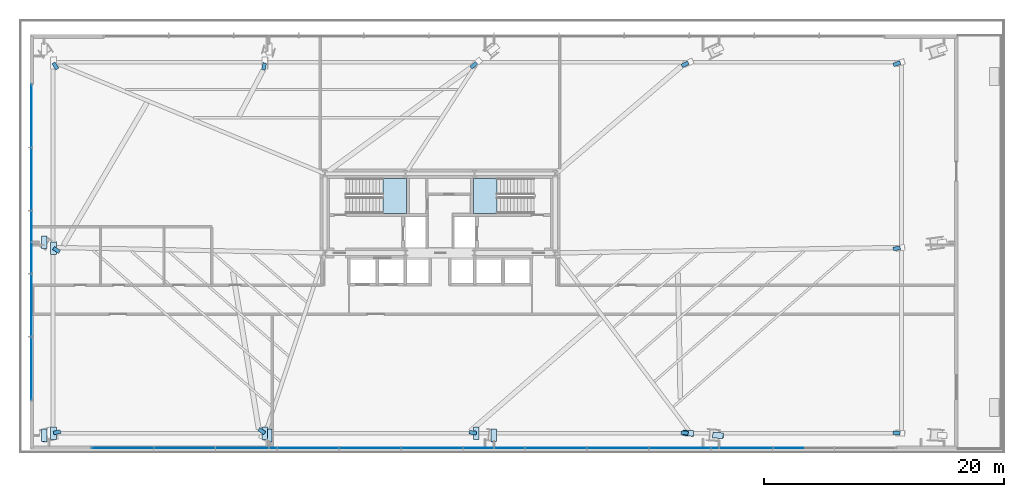
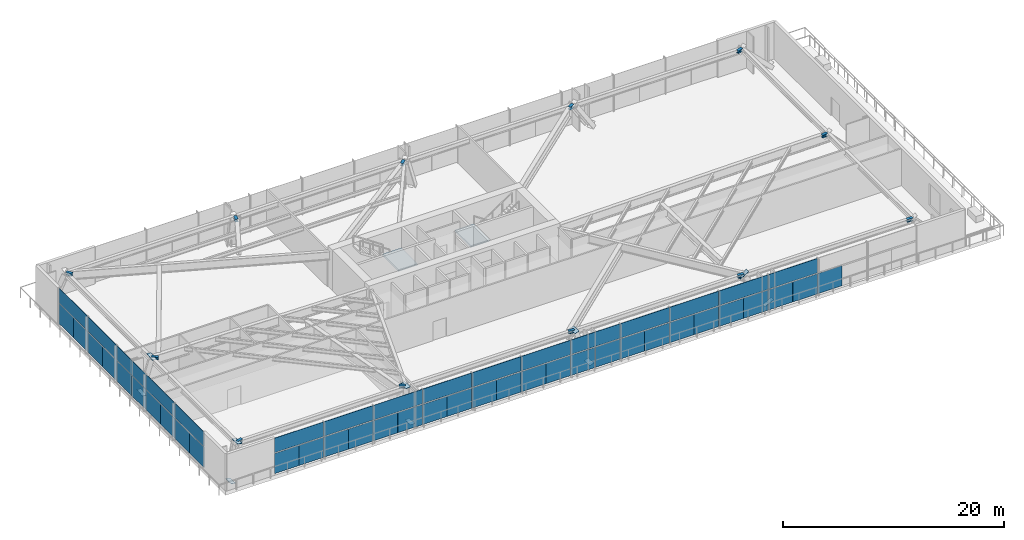
# One storey, part 23 of 36: 59 plates, 12 beams, 2 slabs, 4 elements without a shape of their own.
"""IFC4 building model written with IfcOpenShell, lengths in metres."""

from ifc_helpers import new_model, si_unit, direction, frame, origin, origin_2d, place, context, subcontext, project, spatial, polyline, rectangle, i_section, outline, extrude, source, transform, mapped, material, layer, layer_set, material_profile, profile_set, type_object, type_shapes, element, aggregate, save


model = new_model("IFC4")

# Units and contexts
model_context = context("Model", 3, precision=1e-05, world=origin(), true_north=direction((0.0, 1.0)))
body_context = subcontext(model_context, "Body", "Model", "MODEL_VIEW")
ifc_project = project(units=[si_unit("LENGTHUNIT", "METRE"), si_unit("AREAUNIT", "SQUARE_METRE"), si_unit("VOLUMEUNIT", "CUBIC_METRE"), si_unit("PLANEANGLEUNIT", "RADIAN"), si_unit("MASSUNIT", "GRAM", prefix="KILO")], contexts=[model_context])

# Site, building, storey
site_placement = place(None, origin())
site = spatial("IfcSite", under=ifc_project, at=site_placement, CompositionType="ELEMENT")
building_placement = place(site_placement, origin())
building = spatial("IfcBuilding", under=site, at=building_placement, Name="Astriad Promenade Condominiums", CompositionType="ELEMENT")
storey_placement = place(building_placement, frame((0.0, 0.0, 5.0)))
storey = spatial("IfcBuildingStorey", under=building, at=storey_placement, Name="L01", CompositionType="ELEMENT", Elevation=5.0)

# Beams
ifc_material_1 = material(Name="Steel ASTM A992 Grade 50", Category="steel")
ifc_material_profile = material_profile(ifc_material_1, i_section(OverallWidth=0.3046875, OverallDepth=0.307861328125, WebThickness=0.010009765625, FlangeThickness=0.015380859375, FilletRadius=0.01513671875, at=origin_2d()), Name="W12X65")
ifc_profile_set = profile_set([ifc_material_profile], Name="Steel ASTM A992 Grade 50")
beam_type = type_object("IfcBeamType", Name="STEEL TRANSFER SPLICE HEADER W12X65", PredefinedType="LINTEL", material=ifc_profile_set)
shared_shape_1 = source(origin(), body_context, "Body", "SweptSolid", [
    extrude(i_section(OverallWidth=0.3046875, OverallDepth=0.307861328125, WebThickness=0.010009765625, FlangeThickness=0.015380859375, FilletRadius=0.01513671875, at=origin_2d()), origin(), (0.0, 0.0, 1.0), 0.6015625),
])
for number, where, z_axis, x_axis, name in (
    (1, (21.392822265625, 2.37841796875, 3.926025390625), (-0.845112519666, 0.534588467051, 0.0), (-0.534588467051, -0.845112519666, 0.0), "Column Transfer Splice Header SPL-PC02-L01"),
    (2, (39.032470703125, 2.375732421875, 3.926025390625), (-0.99099243041, 0.133917896001, 0.0), (-0.133917896001, -0.99099243041, 0.0), "Column Transfer Splice Header SPL-PC03-L01"),
    (3, (56.6953125, 2.37353515625, 3.926025390625), (-0.997146855139, 0.075486086714, 0.0), (-0.075486086714, -0.997146855139, 0.0), "Column Transfer Splice Header SPL-PC04-L01"),
    (4, (74.3701171875, 2.3720703125, 3.926025390625), (-0.998607722654, 0.052750509527, 0.0), (-0.052750509527, -0.998607722654, 0.0), "Column Transfer Splice Header SPL-PC05-L01"),
    (5, (3.763427734375, 33.2451171875, 3.926025390625), (0.546243021637, -0.837626743432, 0.0), (0.837626743432, 0.546243021637, 0.0), "Column Transfer Splice Header SPL-PC06-L01"),
    (6, (21.396484375, 33.242431640625, 3.926025390625), (-0.231346163598, -0.972871498497, 0.0), (0.972871498497, -0.231346163598, 0.0), "Column Transfer Splice Header SPL-PC07-L01"),
    (7, (39.038818359375, 33.2509765625, 3.926025390625), (-0.750335031979, -0.661057743155, 0.0), (0.661057743155, -0.750335031979, 0.0), "Column Transfer Splice Header SPL-PC08-L01"),
    (8, (74.37353515625, 33.2685546875, 3.926025390625), (-0.946095269319, -0.323888470578, 0.0), (0.323888470578, -0.946095269319, 0.0), "Column Transfer Splice Header SPL-PC10-L01"),
    (9, (3.76806640625, 17.8076171875, 3.926025390625), (0.838916211587, -0.544260590101, 0.0), (0.544260590101, 0.838916211587, 0.0), "Column Transfer Splice Header SPL-PC11-L01"),
):
    element("IfcBeam", number, at=place(storey_placement, frame(where, z_axis=z_axis, x_axis=x_axis)), inside=storey, type_object=beam_type, Name=name, PredefinedType="LINTEL", context=body_context, shape_type="MappedRepresentation", body=[
        mapped(shared_shape_1, transform((0.0, 0.0, 0.0), scale=1.0)),
    ])
shared_shape_2 = source(origin(), body_context, "Body", "SweptSolid", [
    extrude(i_section(OverallWidth=0.3046875, OverallDepth=0.307861328125, WebThickness=0.010009765625, FlangeThickness=0.015380859375, FilletRadius=0.01513671875, at=origin_2d()), origin(), (0.0, 0.0, 1.0), 0.601318359375),
])
type_shapes(beam_type, [shared_shape_1, shared_shape_2])
for number, where, z_axis, x_axis, name in (
    (10, (3.769287109375, 2.377197265625, 3.926025390625), (0.973144940462, 0.230193233726, 0.0), (-0.230193233726, 0.973144940462, 0.0), "Column Transfer Splice Header SPL-PC01-L01"),
    (11, (56.7001953125, 33.260986328125, 3.926025390625), (-0.89676937187, -0.442498241439, 0.0), (0.442498241439, -0.89676937187, 0.0), "Column Transfer Splice Header SPL-PC09-L01"),
    (12, (74.37060546875, 17.81982421875, 3.926025390625), (-0.989679797289, -0.143296541609, 0.0), (0.143296541609, -0.989679797289, 0.0), "Column Transfer Splice Header SPL-PC12-L01"),
):
    element("IfcBeam", number, at=place(storey_placement, frame(where, z_axis=z_axis, x_axis=x_axis)), inside=storey, type_object=beam_type, Name=name, PredefinedType="LINTEL", context=body_context, shape_type="MappedRepresentation", body=[
        mapped(shared_shape_2, transform((0.0, 0.0, 0.0), scale=1.0)),
    ])

# Stair, slab
ifc_material_2 = material(Name="Concrete C50/60", Category="concrete")
stair_type = type_object("IfcStairType", Name="STR-CORE-1350", PredefinedType="HALF_TURN_STAIR", material=ifc_material_2)
stair_1_placement = place(storey_placement, origin())
stair_1 = element("IfcStair", 13, at=stair_1_placement, inside=storey, type_object=stair_type, Name="L01 Enclosed Core Exit Stair ST-1", PredefinedType="HALF_TURN_STAIR")
ifc_layer_1 = layer(ifc_material_2, 0.219970703125)
ifc_layer_set_1 = layer_set([ifc_layer_1], Name="Concrete C50/60")
slab_type = type_object("IfcSlabType", Name="SLB-LANDING-220", PredefinedType="LANDING", material=ifc_layer_set_1)
slab_1_placement = place(storey_placement, frame((0.0, 0.0, 2.050048828125)))
slab_1 = element("IfcSlab", 14, at=slab_1_placement, type_object=slab_type, Name="ST-1 landing 1", PredefinedType="LANDING", context=body_context, shape_type="SweptSolid", body=[
    extrude(outline(polyline([(31.22998046875, 20.699951171875), (33.199951171875, 20.699951171875), (33.199951171875, 23.60009765625), (31.22998046875, 23.60009765625), (31.22998046875, 20.699951171875)])), origin(), (0.0, 0.0, 1.0), 0.199951171875),
])
aggregate(stair_1, [slab_1])

stair_2_placement = place(storey_placement, origin())
stair_2 = element("IfcStair", 15, at=stair_2_placement, inside=storey, type_object=stair_type, Name="L01 Enclosed Core Exit Stair ST-2", PredefinedType="HALF_TURN_STAIR")
slab_2_placement = place(storey_placement, frame((0.0, 0.0, 2.050048828125)))
slab_2 = element("IfcSlab", 16, at=slab_2_placement, type_object=slab_type, Name="ST-2 landing 1", PredefinedType="LANDING", context=body_context, shape_type="SweptSolid", body=[
    extrude(outline(polyline([(40.77001953125, 23.60009765625), (38.800048828125, 23.60009765625), (38.800048828125, 20.699951171875), (40.77001953125, 20.699951171875), (40.77001953125, 23.60009765625)])), origin(), (0.0, 0.0, 1.0), 0.199951171875),
])
aggregate(stair_2, [slab_2])

# Plates
ifc_material_3 = material(Name="Steel ASTM A572 Grade 50", Category="steel")
ifc_layer_2 = layer(ifc_material_3, 0.02490234375)
ifc_layer_set_2 = layer_set([ifc_layer_2], Name="Steel ASTM A572 Grade 50")
plate_type_1 = type_object("IfcPlateType", Name="STEEL HOLLOW SECTION END CAP PLATE 30", PredefinedType="USERDEFINED", material=ifc_layer_set_2)
shared_shape_3 = source(origin(), body_context, "Body", "SweptSolid", [
    extrude(rectangle(XDim=0.477294921875, YDim=1.05126953125, at=origin_2d()), origin(), (0.0, 0.0, 1.0), 0.02490234375),
])
type_shapes(plate_type_1, [shared_shape_3])
for number, where, z_axis, x_axis, name in (
    (17, (2.98583984375, 2.181640625, 0.03076171875), (0.19221269491, 0.048053173977, 0.98017609254), (1.0, 0.0, 0.0), "Hollow Section End Cap Plate COL-PC01-L01-A"),
    (18, (3.76904296875, 2.37744140625, 4.02490234375), (0.19221269491, 0.048053173977, 0.98017609254), (1.0, 0.0, 0.0), "Hollow Section End Cap Plate COL-PC01-L01-B"),
    (19, (21.7392578125, 2.180419921875, 0.008544921875), (-0.085355647955, 0.048802996975, 0.995154601481), (1.0, 0.0, 0.0), "Hollow Section End Cap Plate COL-PC02-L01-A"),
    (20, (21.392822265625, 2.37841796875, 4.04638671875), (-0.085355647955, 0.048802996975, 0.995154601481), (1.0, 0.0, 0.0), "Hollow Section End Cap Plate COL-PC02-L01-B"),
    (21, (40.476318359375, 2.18310546875, 0.064697265625), (-0.344680982815, 0.045967070975, 0.937593754497), (1.0, 0.0, 0.0), "Hollow Section End Cap Plate COL-PC03-L01-A"),
    (22, (39.032470703125, 2.375732421875, 3.991943359375), (-0.344680982815, 0.045967070975, 0.937593754497), (1.0, 0.0, 0.0), "Hollow Section End Cap Plate COL-PC03-L01-B"),
    (23, (59.188232421875, 2.185302734375, 0.1103515625), (-0.544253323042, 0.041092289003, 0.837913924065), (-0.075287850105, -0.997161842244, 0.0), "Hollow Section End Cap Plate COL-PC04-L01-A"),
    (24, (56.6953125, 2.37353515625, 3.948486328125), (-0.544253323042, 0.041092289003, 0.837913924065), (-0.075287850105, -0.997161842244, 0.0), "Hollow Section End Cap Plate COL-PC04-L01-B"),
    (25, (2.987060546875, 18.29541015625, 0.036865234375), (0.191047165987, -0.119404478992, 0.974291306933), (1.0, 0.0, 0.0), "Hollow Section End Cap Plate COL-PC11-L01-A"),
    (26, (3.76806640625, 17.807373046875, 4.018798828125), (0.191047165987, -0.119404478992, 0.974291306933), (1.0, 0.0, 0.0), "Hollow Section End Cap Plate COL-PC11-L01-B"),
):
    element("IfcPlate", number, at=place(storey_placement, frame(where, z_axis=z_axis, x_axis=x_axis)), inside=storey, type_object=plate_type_1, Name=name, ObjectType="STIFFENER_PLATE", PredefinedType="USERDEFINED", context=body_context, shape_type="MappedRepresentation", body=[
        mapped(shared_shape_3, transform((0.0, 0.0, 0.0), scale=1.0)),
    ])

# Curtain wall, plates
ifc_material_4 = material(Name="Anodised aluminium Black Dark Glass Unitised", Category="aluminium")
curtain_wall_type = type_object("IfcCurtainWallType", Name="CW-POD-DARK", PredefinedType="USERDEFINED", material=ifc_material_4)
curtain_wall_1_placement = place(storey_placement, origin())
curtain_wall_1 = element("IfcCurtainWall", 27, at=curtain_wall_1_placement, inside=storey, type_object=curtain_wall_type, Name="CW-L01-W", ObjectType="UNITISED_CURTAIN_WALL", PredefinedType="USERDEFINED")
ifc_material_5 = material(Name="Dark Tinted Low-E Laminated Glass", Category="glass")
ifc_layer_3 = layer(ifc_material_5, 0.035888671875)
ifc_layer_set_3 = layer_set([ifc_layer_3], Name="Dark Tinted Low-E Laminated Glass")
plate_type_2 = type_object("IfcPlateType", Name="PNL-DARK-GLASS-36", PredefinedType="CURTAIN_PANEL", material=ifc_layer_set_3)
shared_shape_4 = source(origin(), body_context, "Body", "SweptSolid", [
    extrude(rectangle(XDim=2.617919921875, YDim=0.035888671875, at=origin_2d()), origin(), (0.0, 0.0, 1.0), 2.22998046875),
])
plate_1_placement = place(storey_placement, frame((1.949951171875, 6.465087890625, 0.080078125), z_axis=(0.0, 0.0, 1.0), x_axis=(0.0, 1.0, 0.0)))
plate_1 = element("IfcPlate", 28, at=plate_1_placement, type_object=plate_type_2, Name="CW-L01-W-PNL-00-VL", PredefinedType="CURTAIN_PANEL", context=body_context, shape_type="MappedRepresentation", body=[
    mapped(shared_shape_4, transform((0.0, 0.0, 0.0), scale=1.0)),
])
plate_2_placement = place(storey_placement, frame((1.949951171875, 9.094970703125, 0.080078125), z_axis=(0.0, 0.0, 1.0), x_axis=(0.0, 1.0, 0.0)))
plate_2 = element("IfcPlate", 29, at=plate_2_placement, type_object=plate_type_2, Name="CW-L01-W-PNL-00-VR", PredefinedType="CURTAIN_PANEL", context=body_context, shape_type="MappedRepresentation", body=[
    mapped(shared_shape_4, transform((0.0, 0.0, 0.0), scale=1.0)),
])
plate_3_placement = place(storey_placement, frame((1.949951171875, 11.72509765625, 0.080078125), z_axis=(0.0, 0.0, 1.0), x_axis=(0.0, 1.0, 0.0)))
plate_3 = element("IfcPlate", 30, at=plate_3_placement, type_object=plate_type_2, Name="CW-L01-W-PNL-01-VL", PredefinedType="CURTAIN_PANEL", context=body_context, shape_type="MappedRepresentation", body=[
    mapped(shared_shape_4, transform((0.0, 0.0, 0.0), scale=1.0)),
])
plate_4_placement = place(storey_placement, frame((1.949951171875, 14.35498046875, 0.080078125), z_axis=(0.0, 0.0, 1.0), x_axis=(0.0, 1.0, 0.0)))
plate_4 = element("IfcPlate", 31, at=plate_4_placement, type_object=plate_type_2, Name="CW-L01-W-PNL-01-VR", PredefinedType="CURTAIN_PANEL", context=body_context, shape_type="MappedRepresentation", body=[
    mapped(shared_shape_4, transform((0.0, 0.0, 0.0), scale=1.0)),
])
plate_5_placement = place(storey_placement, frame((1.949951171875, 16.985107421875, 0.080078125), z_axis=(0.0, 0.0, 1.0), x_axis=(0.0, 1.0, 0.0)))
plate_5 = element("IfcPlate", 32, at=plate_5_placement, type_object=plate_type_2, Name="CW-L01-W-PNL-02-VL", PredefinedType="CURTAIN_PANEL", context=body_context, shape_type="MappedRepresentation", body=[
    mapped(shared_shape_4, transform((0.0, 0.0, 0.0), scale=1.0)),
])
plate_6_placement = place(storey_placement, frame((1.949951171875, 19.614990234375, 0.080078125), z_axis=(0.0, 0.0, 1.0), x_axis=(0.0, 1.0, 0.0)))
plate_6 = element("IfcPlate", 33, at=plate_6_placement, type_object=plate_type_2, Name="CW-L01-W-PNL-02-VR", PredefinedType="CURTAIN_PANEL", context=body_context, shape_type="MappedRepresentation", body=[
    mapped(shared_shape_4, transform((0.0, 0.0, 0.0), scale=1.0)),
])
plate_7_placement = place(storey_placement, frame((1.949951171875, 22.2451171875, 0.080078125), z_axis=(0.0, 0.0, 1.0), x_axis=(0.0, 1.0, 0.0)))
plate_7 = element("IfcPlate", 34, at=plate_7_placement, type_object=plate_type_2, Name="CW-L01-W-PNL-03-VL", PredefinedType="CURTAIN_PANEL", context=body_context, shape_type="MappedRepresentation", body=[
    mapped(shared_shape_4, transform((0.0, 0.0, 0.0), scale=1.0)),
])
plate_8_placement = place(storey_placement, frame((1.949951171875, 24.875, 0.080078125), z_axis=(0.0, 0.0, 1.0), x_axis=(0.0, 1.0, 0.0)))
plate_8 = element("IfcPlate", 35, at=plate_8_placement, type_object=plate_type_2, Name="CW-L01-W-PNL-03-VR", PredefinedType="CURTAIN_PANEL", context=body_context, shape_type="MappedRepresentation", body=[
    mapped(shared_shape_4, transform((0.0, 0.0, 0.0), scale=1.0)),
])
plate_9_placement = place(storey_placement, frame((1.949951171875, 27.5048828125, 0.080078125), z_axis=(0.0, 0.0, 1.0), x_axis=(0.0, 1.0, 0.0)))
plate_9 = element("IfcPlate", 36, at=plate_9_placement, type_object=plate_type_2, Name="CW-L01-W-PNL-04-VL", PredefinedType="CURTAIN_PANEL", context=body_context, shape_type="MappedRepresentation", body=[
    mapped(shared_shape_4, transform((0.0, 0.0, 0.0), scale=1.0)),
])
plate_10_placement = place(storey_placement, frame((1.949951171875, 30.135009765625, 0.080078125), z_axis=(0.0, 0.0, 1.0), x_axis=(0.0, 1.0, 0.0)))
plate_10 = element("IfcPlate", 37, at=plate_10_placement, type_object=plate_type_2, Name="CW-L01-W-PNL-04-VR", PredefinedType="CURTAIN_PANEL", context=body_context, shape_type="MappedRepresentation", body=[
    mapped(shared_shape_4, transform((0.0, 0.0, 0.0), scale=1.0)),
])
shared_shape_5 = source(origin(), body_context, "Body", "SweptSolid", [
    extrude(rectangle(XDim=5.248046875, YDim=0.035888671875, at=origin_2d()), origin(), (0.0, 0.0, 1.0), 1.610107421875),
])
plate_11_placement = place(storey_placement, frame((1.949951171875, 7.780029296875, 2.39013671875), z_axis=(0.0, 0.0, 1.0), x_axis=(0.0, 1.0, 0.0)))
plate_11 = element("IfcPlate", 38, at=plate_11_placement, type_object=plate_type_2, Name="CW-L01-W-PNL-00-S", PredefinedType="CURTAIN_PANEL", context=body_context, shape_type="MappedRepresentation", body=[
    mapped(shared_shape_5, transform((0.0, 0.0, 0.0), scale=1.0)),
])
plate_12_placement = place(storey_placement, frame((1.949951171875, 13.0400390625, 2.39013671875), z_axis=(0.0, 0.0, 1.0), x_axis=(0.0, 1.0, 0.0)))
plate_12 = element("IfcPlate", 39, at=plate_12_placement, type_object=plate_type_2, Name="CW-L01-W-PNL-01-S", PredefinedType="CURTAIN_PANEL", context=body_context, shape_type="MappedRepresentation", body=[
    mapped(shared_shape_5, transform((0.0, 0.0, 0.0), scale=1.0)),
])
plate_13_placement = place(storey_placement, frame((1.949951171875, 18.300048828125, 2.39013671875), z_axis=(0.0, 0.0, 1.0), x_axis=(0.0, 1.0, 0.0)))
plate_13 = element("IfcPlate", 40, at=plate_13_placement, type_object=plate_type_2, Name="CW-L01-W-PNL-02-S", PredefinedType="CURTAIN_PANEL", context=body_context, shape_type="MappedRepresentation", body=[
    mapped(shared_shape_5, transform((0.0, 0.0, 0.0), scale=1.0)),
])
plate_14_placement = place(storey_placement, frame((1.949951171875, 23.56005859375, 2.39013671875), z_axis=(0.0, 0.0, 1.0), x_axis=(0.0, 1.0, 0.0)))
plate_14 = element("IfcPlate", 41, at=plate_14_placement, type_object=plate_type_2, Name="CW-L01-W-PNL-03-S", PredefinedType="CURTAIN_PANEL", context=body_context, shape_type="MappedRepresentation", body=[
    mapped(shared_shape_5, transform((0.0, 0.0, 0.0), scale=1.0)),
])
plate_15_placement = place(storey_placement, frame((1.949951171875, 28.820068359375, 2.39013671875), z_axis=(0.0, 0.0, 1.0), x_axis=(0.0, 1.0, 0.0)))
plate_15 = element("IfcPlate", 42, at=plate_15_placement, type_object=plate_type_2, Name="CW-L01-W-PNL-04-S", PredefinedType="CURTAIN_PANEL", context=body_context, shape_type="MappedRepresentation", body=[
    mapped(shared_shape_5, transform((0.0, 0.0, 0.0), scale=1.0)),
])
aggregate(curtain_wall_1, [plate_1, plate_2, plate_11, plate_3, plate_4, plate_12, plate_5, plate_6, plate_13, plate_7, plate_8, plate_14, plate_9, plate_10, plate_15])

curtain_wall_2_placement = place(storey_placement, origin())
curtain_wall_2 = element("IfcCurtainWall", 43, at=curtain_wall_2_placement, inside=storey, type_object=curtain_wall_type, Name="CW-L01-S", ObjectType="UNITISED_CURTAIN_WALL", PredefinedType="USERDEFINED")
shared_shape_6 = source(origin(), body_context, "Body", "SweptSolid", [
    extrude(rectangle(XDim=2.56884765625, YDim=0.035888671875, at=origin_2d()), origin(), (0.0, 0.0, 1.0), 2.22998046875),
])
plate_16_placement = place(storey_placement, frame((65.017333984375, 1.14990234375, 0.080078125), z_axis=(0.0, 0.0, 1.0), x_axis=(-1.0, 0.0, 0.0)))
plate_16 = element("IfcPlate", 44, at=plate_16_placement, type_object=plate_type_2, Name="CW-L01-S-PNL-01-VR", PredefinedType="CURTAIN_PANEL", context=body_context, shape_type="MappedRepresentation", body=[
    mapped(shared_shape_6, transform((0.0, 0.0, 0.0), scale=1.0)),
])
plate_17_placement = place(storey_placement, frame((62.4365234375, 1.14990234375, 0.080078125), z_axis=(0.0, 0.0, 1.0), x_axis=(-1.0, 0.0, 0.0)))
plate_17 = element("IfcPlate", 45, at=plate_17_placement, type_object=plate_type_2, Name="CW-L01-S-PNL-02-VL", PredefinedType="CURTAIN_PANEL", context=body_context, shape_type="MappedRepresentation", body=[
    mapped(shared_shape_6, transform((0.0, 0.0, 0.0), scale=1.0)),
])
plate_18_placement = place(storey_placement, frame((59.855712890625, 1.14990234375, 0.080078125), z_axis=(0.0, 0.0, 1.0), x_axis=(-1.0, 0.0, 0.0)))
plate_18 = element("IfcPlate", 46, at=plate_18_placement, type_object=plate_type_2, Name="CW-L01-S-PNL-02-VR", PredefinedType="CURTAIN_PANEL", context=body_context, shape_type="MappedRepresentation", body=[
    mapped(shared_shape_6, transform((0.0, 0.0, 0.0), scale=1.0)),
])
plate_19_placement = place(storey_placement, frame((57.27490234375, 1.14990234375, 0.080078125), z_axis=(0.0, 0.0, 1.0), x_axis=(-1.0, 0.0, 0.0)))
plate_19 = element("IfcPlate", 47, at=plate_19_placement, type_object=plate_type_2, Name="CW-L01-S-PNL-03-VL", PredefinedType="CURTAIN_PANEL", context=body_context, shape_type="MappedRepresentation", body=[
    mapped(shared_shape_6, transform((0.0, 0.0, 0.0), scale=1.0)),
])
plate_20_placement = place(storey_placement, frame((54.694091796875, 1.14990234375, 0.080078125), z_axis=(0.0, 0.0, 1.0), x_axis=(-1.0, 0.0, 0.0)))
plate_20 = element("IfcPlate", 48, at=plate_20_placement, type_object=plate_type_2, Name="CW-L01-S-PNL-03-VR", PredefinedType="CURTAIN_PANEL", context=body_context, shape_type="MappedRepresentation", body=[
    mapped(shared_shape_6, transform((0.0, 0.0, 0.0), scale=1.0)),
])
plate_21_placement = place(storey_placement, frame((52.11328125, 1.14990234375, 0.080078125), z_axis=(0.0, 0.0, 1.0), x_axis=(-1.0, 0.0, 0.0)))
plate_21 = element("IfcPlate", 49, at=plate_21_placement, type_object=plate_type_2, Name="CW-L01-S-PNL-04-VL", PredefinedType="CURTAIN_PANEL", context=body_context, shape_type="MappedRepresentation", body=[
    mapped(shared_shape_6, transform((0.0, 0.0, 0.0), scale=1.0)),
])
plate_22_placement = place(storey_placement, frame((49.53271484375, 1.14990234375, 0.080078125), z_axis=(0.0, 0.0, 1.0), x_axis=(-1.0, 0.0, 0.0)))
plate_22 = element("IfcPlate", 50, at=plate_22_placement, type_object=plate_type_2, Name="CW-L01-S-PNL-04-VR", PredefinedType="CURTAIN_PANEL", context=body_context, shape_type="MappedRepresentation", body=[
    mapped(shared_shape_6, transform((0.0, 0.0, 0.0), scale=1.0)),
])
plate_23_placement = place(storey_placement, frame((46.951904296875, 1.14990234375, 0.080078125), z_axis=(0.0, 0.0, 1.0), x_axis=(-1.0, 0.0, 0.0)))
plate_23 = element("IfcPlate", 51, at=plate_23_placement, type_object=plate_type_2, Name="CW-L01-S-PNL-05-VL", PredefinedType="CURTAIN_PANEL", context=body_context, shape_type="MappedRepresentation", body=[
    mapped(shared_shape_6, transform((0.0, 0.0, 0.0), scale=1.0)),
])
plate_24_placement = place(storey_placement, frame((44.37109375, 1.14990234375, 0.080078125), z_axis=(0.0, 0.0, 1.0), x_axis=(-1.0, 0.0, 0.0)))
plate_24 = element("IfcPlate", 52, at=plate_24_placement, type_object=plate_type_2, Name="CW-L01-S-PNL-05-VR", PredefinedType="CURTAIN_PANEL", context=body_context, shape_type="MappedRepresentation", body=[
    mapped(shared_shape_6, transform((0.0, 0.0, 0.0), scale=1.0)),
])
plate_25_placement = place(storey_placement, frame((41.790283203125, 1.14990234375, 0.080078125), z_axis=(0.0, 0.0, 1.0), x_axis=(-1.0, 0.0, 0.0)))
plate_25 = element("IfcPlate", 53, at=plate_25_placement, type_object=plate_type_2, Name="CW-L01-S-PNL-06-VL", PredefinedType="CURTAIN_PANEL", context=body_context, shape_type="MappedRepresentation", body=[
    mapped(shared_shape_6, transform((0.0, 0.0, 0.0), scale=1.0)),
])
plate_26_placement = place(storey_placement, frame((39.209716796875, 1.14990234375, 0.080078125), z_axis=(0.0, 0.0, 1.0), x_axis=(-1.0, 0.0, 0.0)))
plate_26 = element("IfcPlate", 54, at=plate_26_placement, type_object=plate_type_2, Name="CW-L01-S-PNL-06-VR", PredefinedType="CURTAIN_PANEL", context=body_context, shape_type="MappedRepresentation", body=[
    mapped(shared_shape_6, transform((0.0, 0.0, 0.0), scale=1.0)),
])
plate_27_placement = place(storey_placement, frame((36.62890625, 1.14990234375, 0.080078125), z_axis=(0.0, 0.0, 1.0), x_axis=(-1.0, 0.0, 0.0)))
plate_27 = element("IfcPlate", 55, at=plate_27_placement, type_object=plate_type_2, Name="CW-L01-S-PNL-07-VL", PredefinedType="CURTAIN_PANEL", context=body_context, shape_type="MappedRepresentation", body=[
    mapped(shared_shape_6, transform((0.0, 0.0, 0.0), scale=1.0)),
])
plate_28_placement = place(storey_placement, frame((34.048095703125, 1.14990234375, 0.080078125), z_axis=(0.0, 0.0, 1.0), x_axis=(-1.0, 0.0, 0.0)))
plate_28 = element("IfcPlate", 56, at=plate_28_placement, type_object=plate_type_2, Name="CW-L01-S-PNL-07-VR", PredefinedType="CURTAIN_PANEL", context=body_context, shape_type="MappedRepresentation", body=[
    mapped(shared_shape_6, transform((0.0, 0.0, 0.0), scale=1.0)),
])
plate_29_placement = place(storey_placement, frame((31.46728515625, 1.14990234375, 0.080078125), z_axis=(0.0, 0.0, 1.0), x_axis=(-1.0, 0.0, 0.0)))
plate_29 = element("IfcPlate", 57, at=plate_29_placement, type_object=plate_type_2, Name="CW-L01-S-PNL-08-VL", PredefinedType="CURTAIN_PANEL", context=body_context, shape_type="MappedRepresentation", body=[
    mapped(shared_shape_6, transform((0.0, 0.0, 0.0), scale=1.0)),
])
plate_30_placement = place(storey_placement, frame((28.88671875, 1.14990234375, 0.080078125), z_axis=(0.0, 0.0, 1.0), x_axis=(-1.0, 0.0, 0.0)))
plate_30 = element("IfcPlate", 58, at=plate_30_placement, type_object=plate_type_2, Name="CW-L01-S-PNL-08-VR", PredefinedType="CURTAIN_PANEL", context=body_context, shape_type="MappedRepresentation", body=[
    mapped(shared_shape_6, transform((0.0, 0.0, 0.0), scale=1.0)),
])
plate_31_placement = place(storey_placement, frame((26.305908203125, 1.14990234375, 0.080078125), z_axis=(0.0, 0.0, 1.0), x_axis=(-1.0, 0.0, 0.0)))
plate_31 = element("IfcPlate", 59, at=plate_31_placement, type_object=plate_type_2, Name="CW-L01-S-PNL-09-VL", PredefinedType="CURTAIN_PANEL", context=body_context, shape_type="MappedRepresentation", body=[
    mapped(shared_shape_6, transform((0.0, 0.0, 0.0), scale=1.0)),
])
plate_32_placement = place(storey_placement, frame((23.72509765625, 1.14990234375, 0.080078125), z_axis=(0.0, 0.0, 1.0), x_axis=(-1.0, 0.0, 0.0)))
plate_32 = element("IfcPlate", 60, at=plate_32_placement, type_object=plate_type_2, Name="CW-L01-S-PNL-09-VR", PredefinedType="CURTAIN_PANEL", context=body_context, shape_type="MappedRepresentation", body=[
    mapped(shared_shape_6, transform((0.0, 0.0, 0.0), scale=1.0)),
])
plate_33_placement = place(storey_placement, frame((21.144287109375, 1.14990234375, 0.080078125), z_axis=(0.0, 0.0, 1.0), x_axis=(-1.0, 0.0, 0.0)))
plate_33 = element("IfcPlate", 61, at=plate_33_placement, type_object=plate_type_2, Name="CW-L01-S-PNL-10-VL", PredefinedType="CURTAIN_PANEL", context=body_context, shape_type="MappedRepresentation", body=[
    mapped(shared_shape_6, transform((0.0, 0.0, 0.0), scale=1.0)),
])
plate_34_placement = place(storey_placement, frame((18.5634765625, 1.14990234375, 0.080078125), z_axis=(0.0, 0.0, 1.0), x_axis=(-1.0, 0.0, 0.0)))
plate_34 = element("IfcPlate", 62, at=plate_34_placement, type_object=plate_type_2, Name="CW-L01-S-PNL-10-VR", PredefinedType="CURTAIN_PANEL", context=body_context, shape_type="MappedRepresentation", body=[
    mapped(shared_shape_6, transform((0.0, 0.0, 0.0), scale=1.0)),
])
plate_35_placement = place(storey_placement, frame((15.982666015625, 1.14990234375, 0.080078125), z_axis=(0.0, 0.0, 1.0), x_axis=(-1.0, 0.0, 0.0)))
plate_35 = element("IfcPlate", 63, at=plate_35_placement, type_object=plate_type_2, Name="CW-L01-S-PNL-11-VL", PredefinedType="CURTAIN_PANEL", context=body_context, shape_type="MappedRepresentation", body=[
    mapped(shared_shape_6, transform((0.0, 0.0, 0.0), scale=1.0)),
])
plate_36_placement = place(storey_placement, frame((13.40185546875, 1.14990234375, 0.080078125), z_axis=(0.0, 0.0, 1.0), x_axis=(-1.0, 0.0, 0.0)))
plate_36 = element("IfcPlate", 64, at=plate_36_placement, type_object=plate_type_2, Name="CW-L01-S-PNL-11-VR", PredefinedType="CURTAIN_PANEL", context=body_context, shape_type="MappedRepresentation", body=[
    mapped(shared_shape_6, transform((0.0, 0.0, 0.0), scale=1.0)),
])
plate_37_placement = place(storey_placement, frame((10.821044921875, 1.14990234375, 0.080078125), z_axis=(0.0, 0.0, 1.0), x_axis=(-1.0, 0.0, 0.0)))
plate_37 = element("IfcPlate", 65, at=plate_37_placement, type_object=plate_type_2, Name="CW-L01-S-PNL-12-VL", PredefinedType="CURTAIN_PANEL", context=body_context, shape_type="MappedRepresentation", body=[
    mapped(shared_shape_6, transform((0.0, 0.0, 0.0), scale=1.0)),
])
plate_38_placement = place(storey_placement, frame((8.240478515625, 1.14990234375, 0.080078125), z_axis=(0.0, 0.0, 1.0), x_axis=(-1.0, 0.0, 0.0)))
plate_38 = element("IfcPlate", 66, at=plate_38_placement, type_object=plate_type_2, Name="CW-L01-S-PNL-12-VR", PredefinedType="CURTAIN_PANEL", context=body_context, shape_type="MappedRepresentation", body=[
    mapped(shared_shape_6, transform((0.0, 0.0, 0.0), scale=1.0)),
])
shared_shape_7 = source(origin(), body_context, "Body", "SweptSolid", [
    extrude(rectangle(XDim=5.1494140625, YDim=0.035888671875, at=origin_2d()), origin(), (0.0, 0.0, 1.0), 1.610107421875),
])
type_shapes(plate_type_2, [shared_shape_4, shared_shape_5, shared_shape_6, shared_shape_7])
plate_39_placement = place(storey_placement, frame((61.14599609375, 1.14990234375, 2.39013671875), z_axis=(0.0, 0.0, 1.0), x_axis=(-1.0, 0.0, 0.0)))
plate_39 = element("IfcPlate", 67, at=plate_39_placement, type_object=plate_type_2, Name="CW-L01-S-PNL-02-S", PredefinedType="CURTAIN_PANEL", context=body_context, shape_type="MappedRepresentation", body=[
    mapped(shared_shape_7, transform((0.0, 0.0, 0.0), scale=1.0)),
])
plate_40_placement = place(storey_placement, frame((55.984619140625, 1.14990234375, 2.39013671875), z_axis=(0.0, 0.0, 1.0), x_axis=(-1.0, 0.0, 0.0)))
plate_40 = element("IfcPlate", 68, at=plate_40_placement, type_object=plate_type_2, Name="CW-L01-S-PNL-03-S", PredefinedType="CURTAIN_PANEL", context=body_context, shape_type="MappedRepresentation", body=[
    mapped(shared_shape_7, transform((0.0, 0.0, 0.0), scale=1.0)),
])
plate_41_placement = place(storey_placement, frame((50.822998046875, 1.14990234375, 2.39013671875), z_axis=(0.0, 0.0, 1.0), x_axis=(-1.0, 0.0, 0.0)))
plate_41 = element("IfcPlate", 69, at=plate_41_placement, type_object=plate_type_2, Name="CW-L01-S-PNL-04-S", PredefinedType="CURTAIN_PANEL", context=body_context, shape_type="MappedRepresentation", body=[
    mapped(shared_shape_7, transform((0.0, 0.0, 0.0), scale=1.0)),
])
plate_42_placement = place(storey_placement, frame((45.66162109375, 1.14990234375, 2.39013671875), z_axis=(0.0, 0.0, 1.0), x_axis=(-1.0, 0.0, 0.0)))
plate_42 = element("IfcPlate", 70, at=plate_42_placement, type_object=plate_type_2, Name="CW-L01-S-PNL-05-S", PredefinedType="CURTAIN_PANEL", context=body_context, shape_type="MappedRepresentation", body=[
    mapped(shared_shape_7, transform((0.0, 0.0, 0.0), scale=1.0)),
])
plate_43_placement = place(storey_placement, frame((40.5, 1.14990234375, 2.39013671875), z_axis=(0.0, 0.0, 1.0), x_axis=(-1.0, 0.0, 0.0)))
plate_43 = element("IfcPlate", 71, at=plate_43_placement, type_object=plate_type_2, Name="CW-L01-S-PNL-06-S", PredefinedType="CURTAIN_PANEL", context=body_context, shape_type="MappedRepresentation", body=[
    mapped(shared_shape_7, transform((0.0, 0.0, 0.0), scale=1.0)),
])
plate_44_placement = place(storey_placement, frame((35.33837890625, 1.14990234375, 2.39013671875), z_axis=(0.0, 0.0, 1.0), x_axis=(-1.0, 0.0, 0.0)))
plate_44 = element("IfcPlate", 72, at=plate_44_placement, type_object=plate_type_2, Name="CW-L01-S-PNL-07-S", PredefinedType="CURTAIN_PANEL", context=body_context, shape_type="MappedRepresentation", body=[
    mapped(shared_shape_7, transform((0.0, 0.0, 0.0), scale=1.0)),
])
plate_45_placement = place(storey_placement, frame((30.177001953125, 1.14990234375, 2.39013671875), z_axis=(0.0, 0.0, 1.0), x_axis=(-1.0, 0.0, 0.0)))
plate_45 = element("IfcPlate", 73, at=plate_45_placement, type_object=plate_type_2, Name="CW-L01-S-PNL-08-S", PredefinedType="CURTAIN_PANEL", context=body_context, shape_type="MappedRepresentation", body=[
    mapped(shared_shape_7, transform((0.0, 0.0, 0.0), scale=1.0)),
])
plate_46_placement = place(storey_placement, frame((25.015380859375, 1.14990234375, 2.39013671875), z_axis=(0.0, 0.0, 1.0), x_axis=(-1.0, 0.0, 0.0)))
plate_46 = element("IfcPlate", 74, at=plate_46_placement, type_object=plate_type_2, Name="CW-L01-S-PNL-09-S", PredefinedType="CURTAIN_PANEL", context=body_context, shape_type="MappedRepresentation", body=[
    mapped(shared_shape_7, transform((0.0, 0.0, 0.0), scale=1.0)),
])
plate_47_placement = place(storey_placement, frame((19.85400390625, 1.14990234375, 2.39013671875), z_axis=(0.0, 0.0, 1.0), x_axis=(-1.0, 0.0, 0.0)))
plate_47 = element("IfcPlate", 75, at=plate_47_placement, type_object=plate_type_2, Name="CW-L01-S-PNL-10-S", PredefinedType="CURTAIN_PANEL", context=body_context, shape_type="MappedRepresentation", body=[
    mapped(shared_shape_7, transform((0.0, 0.0, 0.0), scale=1.0)),
])
plate_48_placement = place(storey_placement, frame((14.6923828125, 1.14990234375, 2.39013671875), z_axis=(0.0, 0.0, 1.0), x_axis=(-1.0, 0.0, 0.0)))
plate_48 = element("IfcPlate", 76, at=plate_48_placement, type_object=plate_type_2, Name="CW-L01-S-PNL-11-S", PredefinedType="CURTAIN_PANEL", context=body_context, shape_type="MappedRepresentation", body=[
    mapped(shared_shape_7, transform((0.0, 0.0, 0.0), scale=1.0)),
])
plate_49_placement = place(storey_placement, frame((9.53076171875, 1.14990234375, 2.39013671875), z_axis=(0.0, 0.0, 1.0), x_axis=(-1.0, 0.0, 0.0)))
plate_49 = element("IfcPlate", 77, at=plate_49_placement, type_object=plate_type_2, Name="CW-L01-S-PNL-12-S", PredefinedType="CURTAIN_PANEL", context=body_context, shape_type="MappedRepresentation", body=[
    mapped(shared_shape_7, transform((0.0, 0.0, 0.0), scale=1.0)),
])
aggregate(curtain_wall_2, [plate_16, plate_17, plate_18, plate_39, plate_19, plate_20, plate_40, plate_21, plate_22, plate_41, plate_23, plate_24, plate_42, plate_25, plate_26, plate_43, plate_27, plate_28, plate_44, plate_29, plate_30, plate_45, plate_31, plate_32, plate_46, plate_33, plate_34, plate_47, plate_35, plate_36, plate_48, plate_37, plate_38, plate_49])

save(model, "model.ifc")
